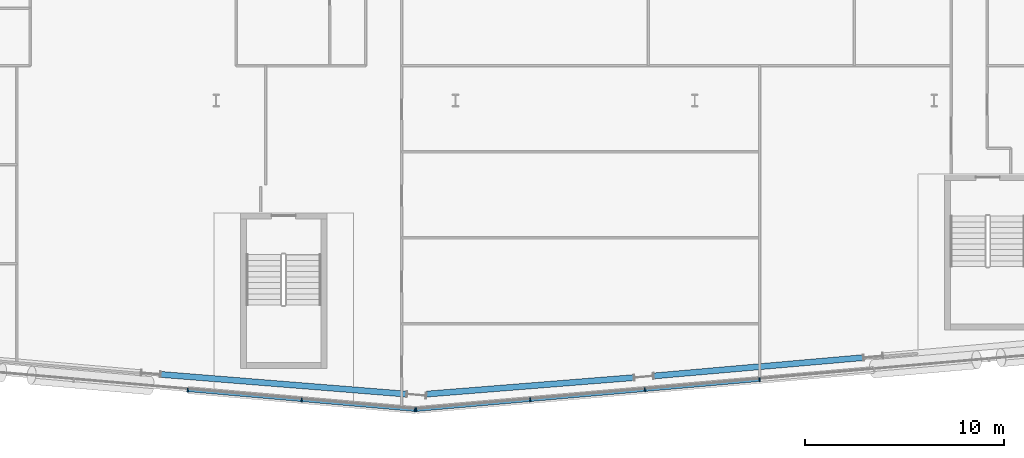
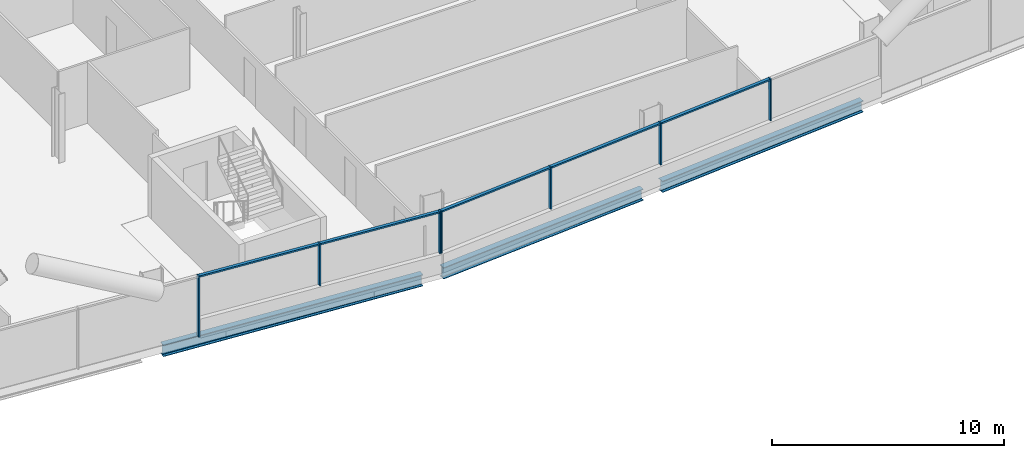
# One storey, part 6 of 27: 12 members, 3 beams, 2 elements without a shape of their own.
"""IFC4 building model written with IfcOpenShell, lengths in metres."""

from ifc_helpers import new_model, si_unit, direction, frame, origin, origin_2d, place, context, subcontext, project, spatial, rectangle, i_section, extrude, material, material_profile, profile_set, type_object, element, aggregate, save


model = new_model("IFC4")

# Units and contexts
model_context = context("Model", 3, precision=1e-05, world=origin(), true_north=direction((0.0, 1.0)))
body_context = subcontext(model_context, "Body", "Model", "MODEL_VIEW")
ifc_project = project(units=[si_unit("LENGTHUNIT", "METRE"), si_unit("AREAUNIT", "SQUARE_METRE"), si_unit("VOLUMEUNIT", "CUBIC_METRE"), si_unit("PLANEANGLEUNIT", "RADIAN"), si_unit("MASSUNIT", "GRAM", prefix="KILO")], contexts=[model_context])

# Site, building, storey
site_placement = place(None, origin())
site = spatial("IfcSite", under=ifc_project, at=site_placement, CompositionType="ELEMENT")
building_placement = place(site_placement, origin())
building = spatial("IfcBuilding", under=site, at=building_placement, Name="Wharfspan Tower", CompositionType="ELEMENT")
storey_placement = place(building_placement, frame((0.0, 0.0, 81.100098)))
storey = spatial("IfcBuildingStorey", under=building, at=storey_placement, Name="L17", CompositionType="ELEMENT", Elevation=81.100098)

# Beams
ifc_material_1 = material(Name="Steel S355J2", Category="steel")
ifc_material_profile_1 = material_profile(ifc_material_1, i_section(OverallWidth=0.300049, OverallDepth=0.600098, WebThickness=0.015381, FlangeThickness=0.030029, FilletRadius=0.0271, at=origin_2d()))
ifc_profile_set_1 = profile_set([ifc_material_profile_1], Name="Steel S355J2")
beam_type = type_object("IfcBeamType", Name="Edge beam HEB 600", PredefinedType="SPANDREL", material=ifc_profile_set_1)
beam_1_placement = place(storey_placement, frame((33.222656, -2.240479, -0.700195), z_axis=(0.996802, -0.079913, 0.0), x_axis=(0.079913, 0.996802, 0.0)))
element("IfcBeam", 1, at=beam_1_placement, inside=storey, type_object=beam_type, Name="Edge beam S1 L17 PS1.3 to PS1.4", PredefinedType="SPANDREL", context=body_context, shape_type="SweptSolid", body=[
    extrude(i_section(OverallWidth=0.300049, OverallDepth=0.600098, WebThickness=0.015381, FlangeThickness=0.030029, FilletRadius=0.0271, at=origin_2d()), origin(), (0.0, 0.0, 1.0), 12.36084),
])
beam_2_placement = place(storey_placement, frame((46.547852, -3.228027, -0.700195), z_axis=(0.996848, 0.079335, 0.0), x_axis=(-0.079335, 0.996848, 0.0)))
element("IfcBeam", 2, at=beam_2_placement, inside=storey, type_object=beam_type, Name="Edge beam S2 L17 PS1.4 to PS2.1", PredefinedType="SPANDREL", context=body_context, shape_type="SweptSolid", body=[
    extrude(i_section(OverallWidth=0.300049, OverallDepth=0.600098, WebThickness=0.015381, FlangeThickness=0.030029, FilletRadius=0.0271, at=origin_2d()), origin(), (0.0, 0.0, 1.0), 10.429199),
])
beam_3_placement = place(storey_placement, frame((57.940674, -2.317383, -0.700195), z_axis=(0.996195, 0.087155, 0.0), x_axis=(-0.087155, 0.996195, 0.0)))
element("IfcBeam", 3, at=beam_3_placement, inside=storey, type_object=beam_type, Name="Edge beam S2 L17 PS2.1 to PS2.2", PredefinedType="SPANDREL", context=body_context, shape_type="SweptSolid", body=[
    extrude(i_section(OverallWidth=0.300049, OverallDepth=0.600098, WebThickness=0.015381, FlangeThickness=0.030029, FilletRadius=0.0271, at=origin_2d()), origin(), (0.0, 0.0, 1.0), 10.543701),
])

# Curtain wall, members
ifc_material_2 = material(Name="Aluminium 6063-T6", Category="aluminium")
curtain_wall_type = type_object("IfcCurtainWallType", Name="CURTAIN WALL FACETED FRONT", PredefinedType="NOTDEFINED", material=ifc_material_2)
curtain_wall_1_placement = place(storey_placement, origin())
curtain_wall_1 = element("IfcCurtainWall", 4, at=curtain_wall_1_placement, inside=storey, type_object=curtain_wall_type, Name="Curtain wall S1", PredefinedType="NOTDEFINED")
ifc_material_profile_2 = material_profile(ifc_material_2, rectangle(XDim=0.199951, YDim=0.060059, at=origin_2d()))
ifc_profile_set_2 = profile_set([ifc_material_profile_2], Name="Aluminium 6063-T6")
member_type_1 = type_object("IfcMemberType", Name="MULLION FACETED FRONT 60x200", PredefinedType="MULLION", material=ifc_profile_set_2)
member_1_placement = place(storey_placement, frame((34.571533, -3.024658, 0.0), z_axis=(0.0, 0.0, 1.0), x_axis=(0.087156, 0.996197, 0.0)))
member_1 = element("IfcMember", 5, at=member_1_placement, type_object=member_type_1, Name="Curtain wall S1 mullion 6", PredefinedType="MULLION", context=body_context, shape_type="SweptSolid", body=[
    extrude(rectangle(XDim=0.199951, YDim=0.060059, at=origin_2d()), origin(), (0.0, 0.0, 1.0), 3.199951),
])
member_2_placement = place(storey_placement, frame((40.285645, -3.524658, 1.0), z_axis=(0.0, 0.0, 1.0), x_axis=(0.087156, 0.996197, 0.0)))
member_2 = element("IfcMember", 6, at=member_2_placement, type_object=member_type_1, Name="Curtain wall S1 mullion 7", PredefinedType="MULLION", context=body_context, shape_type="SweptSolid", body=[
    extrude(rectangle(XDim=0.199951, YDim=0.060059, at=origin_2d()), origin(), (0.0, 0.0, 1.0), 2.199951),
])
member_3_placement = place(storey_placement, frame((45.970215, -4.021973, 1.0), z_axis=(0.0, 0.0, 1.0), x_axis=(0.087156, 0.996197, 0.0)))
member_3 = element("IfcMember", 7, at=member_3_placement, type_object=member_type_1, Name="Curtain wall S1 mullion 8", PredefinedType="MULLION", context=body_context, shape_type="SweptSolid", body=[
    extrude(rectangle(XDim=0.199951, YDim=0.060059, at=origin_2d()), origin(), (0.0, 0.0, 1.0), 2.199951),
])

curtain_wall_2_placement = place(storey_placement, origin())
curtain_wall_2 = element("IfcCurtainWall", 8, at=curtain_wall_2_placement, inside=storey, type_object=curtain_wall_type, Name="Curtain wall S2", PredefinedType="NOTDEFINED")
member_4_placement = place(storey_placement, frame((46.029785, -4.021973, 1.0), z_axis=(0.0, 0.0, 1.0), x_axis=(-0.087156, 0.996197, 0.0)))
member_4 = element("IfcMember", 9, at=member_4_placement, type_object=member_type_1, Name="Curtain wall S2 mullion 1", PredefinedType="MULLION", context=body_context, shape_type="SweptSolid", body=[
    extrude(rectangle(XDim=0.199951, YDim=0.060059, at=origin_2d()), origin(), (0.0, 0.0, 1.0), 2.199951),
])
member_5_placement = place(storey_placement, frame((51.75, -3.521484, 1.0), z_axis=(0.0, 0.0, 1.0), x_axis=(-0.087156, 0.996197, 0.0)))
member_5 = element("IfcMember", 10, at=member_5_placement, type_object=member_type_1, Name="Curtain wall S2 mullion 2", PredefinedType="MULLION", context=body_context, shape_type="SweptSolid", body=[
    extrude(rectangle(XDim=0.199951, YDim=0.060059, at=origin_2d()), origin(), (0.0, 0.0, 1.0), 2.199951),
])
member_6_placement = place(storey_placement, frame((57.5, -3.018311, 1.0), z_axis=(0.0, 0.0, 1.0), x_axis=(-0.087156, 0.996197, 0.0)))
member_6 = element("IfcMember", 11, at=member_6_placement, type_object=member_type_1, Name="Curtain wall S2 mullion 3", PredefinedType="MULLION", context=body_context, shape_type="SweptSolid", body=[
    extrude(rectangle(XDim=0.199951, YDim=0.060059, at=origin_2d()), origin(), (0.0, 0.0, 1.0), 2.199951),
])
member_7_placement = place(storey_placement, frame((63.25, -2.515381, 1.0), z_axis=(0.0, 0.0, 1.0), x_axis=(-0.087156, 0.996197, 0.0)))
member_7 = element("IfcMember", 12, at=member_7_placement, type_object=member_type_1, Name="Curtain wall S2 mullion 4", PredefinedType="MULLION", context=body_context, shape_type="SweptSolid", body=[
    extrude(rectangle(XDim=0.199951, YDim=0.060059, at=origin_2d()), origin(), (0.0, 0.0, 1.0), 2.199951),
])

# Member
ifc_material_profile_3 = material_profile(ifc_material_2, rectangle(XDim=0.159912, YDim=0.080078, at=origin_2d()))
ifc_profile_set_3 = profile_set([ifc_material_profile_3], Name="Aluminium 6063-T6")
member_type_2 = type_object("IfcMemberType", Name="TRANSOM FACETED FRONT 80x160", PredefinedType="USERDEFINED", material=ifc_profile_set_3)
member_8_placement = place(storey_placement, frame((34.601318, -3.027344, 3.159912), z_axis=(0.996196, -0.087142, 0.0), x_axis=(0.087142, 0.996196, 0.0)))
member_8 = element("IfcMember", 13, at=member_8_placement, type_object=member_type_2, Name="Curtain wall S1 transom 6", ObjectType="TRANSOM", PredefinedType="USERDEFINED", context=body_context, shape_type="SweptSolid", body=[
    extrude(rectangle(XDim=0.159912, YDim=0.080078, at=origin_2d()), origin(), (0.0, 0.0, 1.0), 5.676025),
])

member_9_placement = place(storey_placement, frame((40.315674, -3.5271, 3.159912), z_axis=(0.996193, -0.087174, 0.0), x_axis=(0.087174, 0.996193, 0.0)))
member_9 = element("IfcMember", 14, at=member_9_placement, type_object=member_type_2, Name="Curtain wall S1 transom 7", ObjectType="TRANSOM", PredefinedType="USERDEFINED", context=body_context, shape_type="SweptSolid", body=[
    extrude(rectangle(XDim=0.159912, YDim=0.080078, at=origin_2d()), origin(), (0.0, 0.0, 1.0), 5.645996),
])

aggregate(curtain_wall_1, [member_1, member_2, member_3, member_8, member_9])

member_10_placement = place(storey_placement, frame((46.059814, -4.019287, 3.159912), z_axis=(0.996193, 0.08718, 0.0), x_axis=(-0.08718, 0.996193, 0.0)))
member_10 = element("IfcMember", 15, at=member_10_placement, type_object=member_type_2, Name="Curtain wall S2 transom 1", ObjectType="TRANSOM", PredefinedType="USERDEFINED", context=body_context, shape_type="SweptSolid", body=[
    extrude(rectangle(XDim=0.159912, YDim=0.080078, at=origin_2d()), origin(), (0.0, 0.0, 1.0), 5.682129),
])

member_11_placement = place(storey_placement, frame((51.779785, -3.518799, 3.159912), z_axis=(0.996195, 0.087148, 0.0), x_axis=(-0.087148, 0.996195, 0.0)))
member_11 = element("IfcMember", 16, at=member_11_placement, type_object=member_type_2, Name="Curtain wall S2 transom 2", ObjectType="TRANSOM", PredefinedType="USERDEFINED", context=body_context, shape_type="SweptSolid", body=[
    extrude(rectangle(XDim=0.159912, YDim=0.080078, at=origin_2d()), origin(), (0.0, 0.0, 1.0), 5.712158),
])

member_12_placement = place(storey_placement, frame((57.529785, -3.015625, 3.159912), z_axis=(0.996195, 0.087148, 0.0), x_axis=(-0.087148, 0.996195, 0.0)))
member_12 = element("IfcMember", 17, at=member_12_placement, type_object=member_type_2, Name="Curtain wall S2 transom 3", ObjectType="TRANSOM", PredefinedType="USERDEFINED", context=body_context, shape_type="SweptSolid", body=[
    extrude(rectangle(XDim=0.159912, YDim=0.080078, at=origin_2d()), origin(), (0.0, 0.0, 1.0), 5.712158),
])

aggregate(curtain_wall_2, [member_4, member_5, member_6, member_7, member_10, member_11, member_12])

save(model, "model.ifc")
